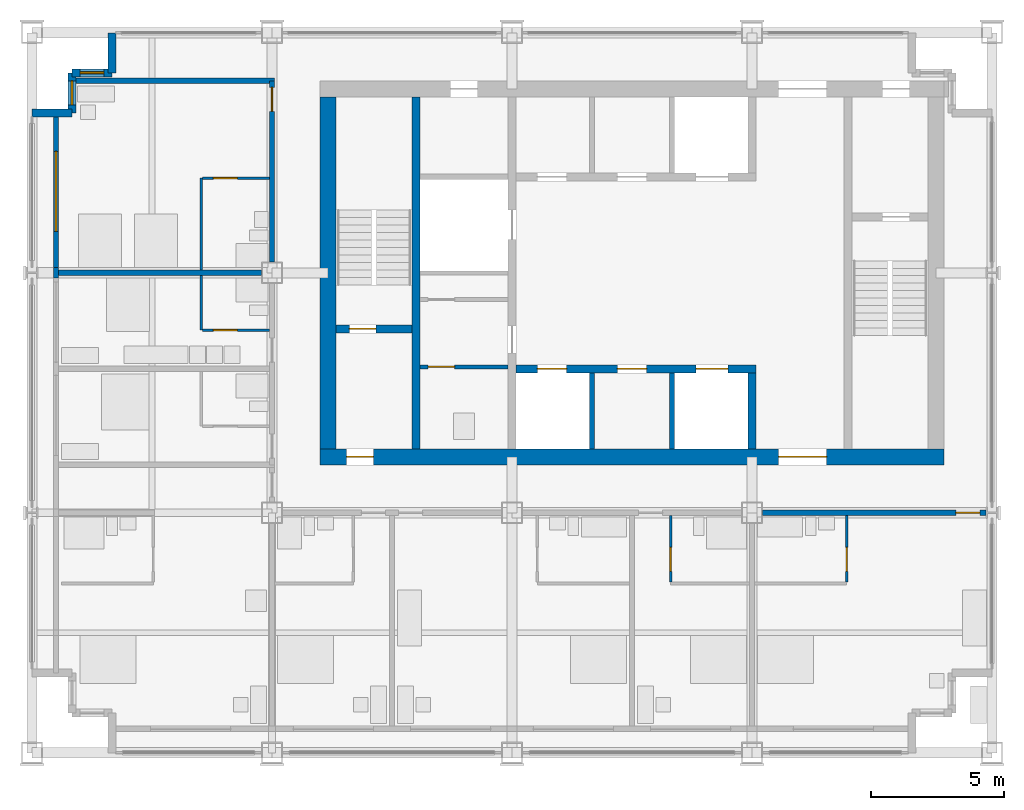
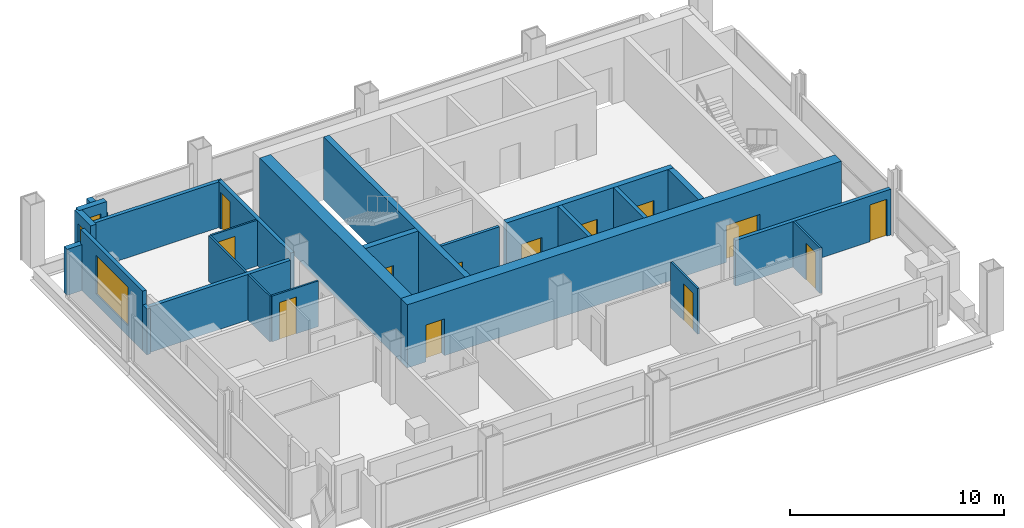
# One storey, part 7 of 12: 25 walls, 13 doors, 3 windows, 16 openings.
"""IFC4 building model written with IfcOpenShell, lengths in metres."""

from ifc_helpers import new_model, si_unit, direction, frame, frame_2d, origin, place, context, subcontext, project, spatial, rectangle, extrude, material, layer, layer_set, type_object, element, fill, save


model = new_model("IFC4")

# Units and contexts
model_context = context("Model", 3, precision=1e-05, world=origin(), true_north=direction((0.0, 1.0)))
body_context = subcontext(model_context, "Body", "Model", "MODEL_VIEW")
ifc_project = project(units=[si_unit("LENGTHUNIT", "METRE"), si_unit("AREAUNIT", "SQUARE_METRE"), si_unit("VOLUMEUNIT", "CUBIC_METRE"), si_unit("PLANEANGLEUNIT", "RADIAN"), si_unit("MASSUNIT", "GRAM", prefix="KILO")], contexts=[model_context])

# Site, building, storey
site_placement = place(None, origin())
site = spatial("IfcSite", under=ifc_project, at=site_placement, CompositionType="ELEMENT")
building_placement = place(site_placement, origin())
building = spatial("IfcBuilding", under=site, at=building_placement, Name="Loomwork Tower", CompositionType="ELEMENT")
storey_placement = place(building_placement, frame((0.0, 0.0, 233.800048828125)))
storey = spatial("IfcBuildingStorey", under=building, at=storey_placement, Name="L64", CompositionType="ELEMENT", Elevation=233.800048828125)

# Wall
ifc_material_1 = material(Name="Concrete 14000 psi (97 MPa)", Category="concrete")
ifc_layer_1 = layer(ifc_material_1, 0.300048828125)
ifc_layer_set_1 = layer_set([ifc_layer_1], Name="Core shear wall 300")
wall_type_1 = type_object("IfcWallType", Name="Core shear wall 300", PredefinedType="SHEAR", material=ifc_layer_set_1)
wall_1_placement = place(storey_placement, frame((14.39990234375, 11.39990234375, 0.0), z_axis=(0.0, 0.0, 1.0), x_axis=(0.0, 1.0, 0.0)))
element("IfcWall", 1, at=wall_1_placement, inside=storey, type_object=wall_type_1, Name="Stair A east wall L64", PredefinedType="SHEAR", context=body_context, shape_type="SweptSolid", body=[
    extrude(rectangle(XDim=13.2001953125, YDim=0.300048828125, at=frame_2d((6.60009765625, 0.0))), origin(), (0.0, 0.0, 1.0), 3.599853515625),
])

# Wall, opening, door
wall_2_placement = place(storey_placement, frame((11.39990234375, 15.89990234375, 0.0), z_axis=(0.0, 0.0, 1.0), x_axis=(1.0, 0.0, 0.0)))
wall_2 = element("IfcWall", 2, at=wall_2_placement, inside=storey, type_object=wall_type_1, Name="Stair A south wall L64", PredefinedType="SHEAR", context=body_context, shape_type="SweptSolid", body=[
    extrude(rectangle(XDim=2.85009765625, YDim=0.300048828125, at=frame_2d((1.425048828125, 0.0))), origin(), (0.0, 0.0, 1.0), 3.599853515625),
])
opening_1_placement = place(wall_2_placement, frame((0.5, 0.0, 0.0)))
opening_1 = element("IfcOpeningElement", 3, at=opening_1_placement, cuts=wall_2, Name="Opening D4", PredefinedType="OPENING", context=body_context, shape_type="SweptSolid", body=[
    extrude(rectangle(XDim=1.0, YDim=2.10009765625, at=frame_2d((0.5, 1.050048828125))), frame((0.0, 0.159912109375, 0.0), z_axis=(0.0, -1.0, 0.0), x_axis=(1.0, 0.0, 0.0)), (0.0, 0.0, 1.0), 0.320068359375),
])
ifc_material_2 = material(Name="Hollow metal door and frame")
door_type_1 = type_object("IfcDoorType", Name="Stair door 1000", OperationType="SINGLE_SWING_RIGHT", PredefinedType="DOOR", material=ifc_material_2)
door_1_placement = place(opening_1_placement, origin())
door_1 = element("IfcDoor", 4, at=door_1_placement, inside=storey, type_object=door_type_1, Name="Stair A door", OperationType="SINGLE_SWING_LEFT", OverallHeight=2.10009765625, OverallWidth=1.0, PredefinedType="DOOR", context=body_context, shape_type="SweptSolid", body=[
    extrude(rectangle(XDim=1.0, YDim=2.10009765625, at=frame_2d((0.5, 1.050048828125))), frame((0.0, 0.02490234375, 0.0), z_axis=(0.0, -1.0, 0.0), x_axis=(1.0, 0.0, 0.0)), (0.0, 0.0, 1.0), 0.050048828125),
])
fill(opening_1, door_1)

# Wall, openings, doors
wall_3_placement = place(storey_placement, frame((18.14990234375, 14.39990234375, 0.0), z_axis=(0.0, 0.0, 1.0), x_axis=(1.0, 0.0, 0.0)))
wall_3 = element("IfcWall", 5, at=wall_3_placement, inside=storey, type_object=wall_type_1, Name="Lift front wall south L64", PredefinedType="SHEAR", context=body_context, shape_type="SweptSolid", body=[
    extrude(rectangle(XDim=9.0, YDim=0.300048828125, at=frame_2d((4.5, 0.0))), origin(), (0.0, 0.0, 1.0), 3.599853515625),
])
opening_2_placement = place(wall_3_placement, frame((0.800048828125, 0.0, 0.0)))
opening_2 = element("IfcOpeningElement", 6, at=opening_2_placement, cuts=wall_3, Name="Opening LD1", PredefinedType="OPENING", context=body_context, shape_type="SweptSolid", body=[
    extrude(rectangle(XDim=1.10009765625, YDim=2.10009765625, at=frame_2d((0.550048828125, 1.050048828125))), frame((0.0, 0.159912109375, 0.0), z_axis=(0.0, -1.0, 0.0), x_axis=(1.0, 0.0, 0.0)), (0.0, 0.0, 1.0), 0.320068359375),
])
opening_3_placement = place(wall_3_placement, frame((6.75, 0.0, 0.0)))
opening_3 = element("IfcOpeningElement", 7, at=opening_3_placement, cuts=wall_3, Name="Opening LD2", PredefinedType="OPENING", context=body_context, shape_type="SweptSolid", body=[
    extrude(rectangle(XDim=1.199951171875, YDim=2.10009765625, at=frame_2d((0.60009765625, 1.050048828125))), frame((0.0, 0.159912109375, 0.0), z_axis=(0.0, -1.0, 0.0), x_axis=(1.0, 0.0, 0.0)), (0.0, 0.0, 1.0), 0.320068359375),
])
opening_4_placement = place(wall_3_placement, frame((3.800048828125, 0.0, 0.0)))
opening_4 = element("IfcOpeningElement", 8, at=opening_4_placement, cuts=wall_3, Name="Opening D17", PredefinedType="OPENING", context=body_context, shape_type="SweptSolid", body=[
    extrude(rectangle(XDim=1.10009765625, YDim=2.10009765625, at=frame_2d((0.550048828125, 1.050048828125))), frame((0.0, 0.159912109375, 0.0), z_axis=(0.0, -1.0, 0.0), x_axis=(1.0, 0.0, 0.0)), (0.0, 0.0, 1.0), 0.320068359375),
])
ifc_material_3 = material(Name="Hollow metal door and frame")
door_type_2 = type_object("IfcDoorType", Name="Lift landing door 1100", OperationType="SLIDING_TO_LEFT", PredefinedType="DOOR", material=ifc_material_3)
door_2_placement = place(opening_2_placement, origin())
door_2 = element("IfcDoor", 9, at=door_2_placement, inside=storey, type_object=door_type_2, Name="Lift landing door LC1", OperationType="SLIDING_TO_LEFT", OverallHeight=2.10009765625, OverallWidth=1.10009765625, PredefinedType="DOOR", context=body_context, shape_type="SweptSolid", body=[
    extrude(rectangle(XDim=1.10009765625, YDim=2.10009765625, at=frame_2d((0.550048828125, 1.050048828125))), frame((0.0, 0.02490234375, 0.0), z_axis=(0.0, -1.0, 0.0), x_axis=(1.0, 0.0, 0.0)), (0.0, 0.0, 1.0), 0.050048828125),
])
fill(opening_2, door_2)
ifc_material_4 = material(Name="Hollow metal door and frame")
door_type_3 = type_object("IfcDoorType", Name="Lift landing door 1200", OperationType="SLIDING_TO_LEFT", PredefinedType="DOOR", material=ifc_material_4)
door_3_placement = place(opening_3_placement, origin())
door_3 = element("IfcDoor", 10, at=door_3_placement, inside=storey, type_object=door_type_3, Name="Lift landing door LF1", OperationType="SLIDING_TO_LEFT", OverallHeight=2.10009765625, OverallWidth=1.199951171875, PredefinedType="DOOR", context=body_context, shape_type="SweptSolid", body=[
    extrude(rectangle(XDim=1.199951171875, YDim=2.10009765625, at=frame_2d((0.60009765625, 1.050048828125))), frame((0.0, 0.02490234375, 0.0), z_axis=(0.0, -1.0, 0.0), x_axis=(1.0, 0.0, 0.0)), (0.0, 0.0, 1.0), 0.050048828125),
])
fill(opening_3, door_3)
ifc_material_5 = material(Name="Hollow metal door and frame")
door_type_4 = type_object("IfcDoorType", Name="Service room door 1100", OperationType="SINGLE_SWING_LEFT", PredefinedType="DOOR", material=ifc_material_5)
door_4_placement = place(opening_4_placement, frame((1.10009765625, 0.0, 0.0), z_axis=(0.0, 0.0, 1.0), x_axis=(-1.0, 0.0, 0.0)))
door_4 = element("IfcDoor", 11, at=door_4_placement, inside=storey, type_object=door_type_4, Name="Linen and housekeeping store door L64", OperationType="SINGLE_SWING_RIGHT", OverallHeight=2.10009765625, OverallWidth=1.10009765625, PredefinedType="DOOR", context=body_context, shape_type="SweptSolid", body=[
    extrude(rectangle(XDim=1.10009765625, YDim=2.10009765625, at=frame_2d((0.550048828125, 1.050048828125))), frame((0.0, 0.02490234375, 0.0), z_axis=(0.0, -1.0, 0.0), x_axis=(1.0, 0.0, 0.0)), (0.0, 0.0, 1.0), 0.050048828125),
])
fill(opening_4, door_4)

# Wall
wall_4_placement = place(storey_placement, frame((27.0, 11.39990234375, 0.0), z_axis=(0.0, 0.0, 1.0), x_axis=(0.0, 1.0, 0.0)))
element("IfcWall", 12, at=wall_4_placement, inside=storey, type_object=wall_type_1, Name="Lift shaft end wall south L64", PredefinedType="SHEAR", context=body_context, shape_type="SweptSolid", body=[
    extrude(rectangle(XDim=2.85009765625, YDim=0.300048828125, at=frame_2d((1.425048828125, 0.0))), origin(), (0.0, 0.0, 1.0), 3.599853515625),
])

# Wall, openings, doors
ifc_material_6 = material(Name="Concrete 14000 psi (97 MPa)", Category="concrete")
ifc_layer_2 = layer(ifc_material_6, 0.60009765625)
ifc_layer_set_2 = layer_set([ifc_layer_2], Name="Core shear wall 600")
wall_type_2 = type_object("IfcWallType", Name="Core shear wall 600", PredefinedType="SHEAR", material=ifc_layer_set_2)
wall_5_placement = place(storey_placement, frame((10.800048828125, 11.10009765625, 0.0), z_axis=(0.0, 0.0, 1.0), x_axis=(1.0, 0.0, 0.0)))
wall_5 = element("IfcWall", 13, at=wall_5_placement, inside=storey, type_object=wall_type_2, Name="Core wall south L64", PredefinedType="SHEAR", context=body_context, shape_type="SweptSolid", body=[
    extrude(rectangle(XDim=23.39990234375, YDim=0.60009765625, at=frame_2d((11.699951171875, 0.0))), origin(), (0.0, 0.0, 1.0), 3.599853515625),
])
opening_5_placement = place(wall_5_placement, frame((1.0, 0.0, 0.0)))
opening_5 = element("IfcOpeningElement", 14, at=opening_5_placement, cuts=wall_5, Name="Opening D4", PredefinedType="OPENING", context=body_context, shape_type="SweptSolid", body=[
    extrude(rectangle(XDim=1.0, YDim=2.10009765625, at=frame_2d((0.5, 1.050048828125))), frame((0.0, 0.31005859375, 0.0), z_axis=(0.0, -1.0, 0.0), x_axis=(1.0, 0.0, 0.0)), (0.0, 0.0, 1.0), 0.6201171875),
])
opening_6_placement = place(wall_5_placement, frame((17.199951171875, 0.0, 0.0)))
opening_6 = element("IfcOpeningElement", 15, at=opening_6_placement, cuts=wall_5, Name="Opening D6", PredefinedType="OPENING", context=body_context, shape_type="SweptSolid", body=[
    extrude(rectangle(XDim=1.800048828125, YDim=2.10009765625, at=frame_2d((0.89990234375, 1.050048828125))), frame((0.0, 0.31005859375, 0.0), z_axis=(0.0, -1.0, 0.0), x_axis=(1.0, 0.0, 0.0)), (0.0, 0.0, 1.0), 0.6201171875),
])
ifc_material_7 = material(Name="Hollow metal door and frame")
door_type_5 = type_object("IfcDoorType", Name="Lobby passage double door 1800", OperationType="DOUBLE_DOOR_SINGLE_SWING", PredefinedType="DOOR", material=ifc_material_7)
door_5_placement = place(opening_6_placement, origin())
door_5 = element("IfcDoor", 16, at=door_5_placement, inside=storey, type_object=door_type_5, Name="Lobby passage door south", OperationType="DOUBLE_DOOR_SINGLE_SWING", OverallHeight=2.10009765625, OverallWidth=1.800048828125, PredefinedType="DOOR", context=body_context, shape_type="SweptSolid", body=[
    extrude(rectangle(XDim=1.800048828125, YDim=2.10009765625, at=frame_2d((0.89990234375, 1.050048828125))), frame((0.0, 0.02490234375, 0.0), z_axis=(0.0, -1.0, 0.0), x_axis=(1.0, 0.0, 0.0)), (0.0, 0.0, 1.0), 0.050048828125),
])
fill(opening_6, door_5)
door_6_placement = place(opening_5_placement, origin())
door_6 = element("IfcDoor", 17, at=door_6_placement, inside=storey, type_object=door_type_1, Name="Stair A vestibule door", OperationType="SINGLE_SWING_LEFT", OverallHeight=2.10009765625, OverallWidth=1.0, PredefinedType="DOOR", context=body_context, shape_type="SweptSolid", body=[
    extrude(rectangle(XDim=1.0, YDim=2.10009765625, at=frame_2d((0.5, 1.050048828125))), frame((0.0, 0.02490234375, 0.0), z_axis=(0.0, -1.0, 0.0), x_axis=(1.0, 0.0, 0.0)), (0.0, 0.0, 1.0), 0.050048828125),
])
fill(opening_5, door_6)

# Wall
wall_6_placement = place(storey_placement, frame((11.10009765625, 11.39990234375, 0.0), z_axis=(0.0, 0.0, 1.0), x_axis=(0.0, 1.0, 0.0)))
element("IfcWall", 18, at=wall_6_placement, inside=storey, type_object=wall_type_2, Name="Core wall west L64", PredefinedType="SHEAR", context=body_context, shape_type="SweptSolid", body=[
    extrude(rectangle(XDim=13.2001953125, YDim=0.60009765625, at=frame_2d((6.60009765625, 0.0))), origin(), (0.0, 0.0, 1.0), 3.599853515625),
])

# Wall, opening, door
ifc_material_8 = material(Name="Gypsum board on steel studs, one-hour", Category="steel")
ifc_layer_3 = layer(ifc_material_8, 0.199951171875)
ifc_layer_set_3 = layer_set([ifc_layer_3], Name="Corridor wall 200")
wall_type_3 = type_object("IfcWallType", Name="Corridor wall 200", PredefinedType="PARTITIONING", material=ifc_layer_set_3)
wall_7_placement = place(storey_placement, frame((27.39990234375, 9.0, 0.0), z_axis=(0.0, 0.0, 1.0), x_axis=(1.0, 0.0, 0.0)))
wall_7 = element("IfcWall", 19, at=wall_7_placement, inside=storey, type_object=wall_type_3, Name="South corridor wall 4", PredefinedType="PARTITIONING", context=body_context, shape_type="SweptSolid", body=[
    extrude(rectangle(XDim=8.36767578125, YDim=0.199951171875, at=frame_2d((4.183837890625, 0.0))), origin(), (0.0, 0.0, 1.0), 2.60498046875),
])
opening_7_placement = place(wall_7_placement, frame((7.25, 0.0, 0.0)))
opening_7 = element("IfcOpeningElement", 20, at=opening_7_placement, cuts=wall_7, Name="Opening D1", PredefinedType="OPENING", context=body_context, shape_type="SweptSolid", body=[
    extrude(rectangle(XDim=0.89990234375, YDim=2.10009765625, at=frame_2d((0.449951171875, 1.050048828125))), frame((0.0, 0.10986328125, 0.0), z_axis=(0.0, -1.0, 0.0), x_axis=(1.0, 0.0, 0.0)), (0.0, 0.0, 1.0), 0.219970703125),
])
ifc_material_9 = material(Name="Hollow metal door and frame")
door_type_6 = type_object("IfcDoorType", Name="Guest room entry door 900", OperationType="SINGLE_SWING_LEFT", PredefinedType="DOOR", material=ifc_material_9)
door_7_placement = place(opening_7_placement, frame((0.89990234375, 0.0, 0.0), z_axis=(0.0, 0.0, 1.0), x_axis=(-1.0, 0.0, 0.0)))
door_7 = element("IfcDoor", 21, at=door_7_placement, inside=storey, type_object=door_type_6, Name="Guest room entry door L64 5", OperationType="SINGLE_SWING_RIGHT", OverallHeight=2.10009765625, OverallWidth=0.89990234375, PredefinedType="DOOR", context=body_context, shape_type="SweptSolid", body=[
    extrude(rectangle(XDim=0.89990234375, YDim=2.10009765625, at=frame_2d((0.449951171875, 1.050048828125))), frame((0.0, 0.02490234375, 0.0), z_axis=(0.0, -1.0, 0.0), x_axis=(1.0, 0.0, 0.0)), (0.0, 0.0, 1.0), 0.050048828125),
])
fill(opening_7, door_7)

wall_8_placement = place(storey_placement, frame((9.0, 18.39990234375, 0.0), z_axis=(0.0, 0.0, 1.0), x_axis=(0.0, 1.0, 0.0)))
wall_8 = element("IfcWall", 22, at=wall_8_placement, inside=storey, type_object=wall_type_3, Name="West corridor wall 2", PredefinedType="PARTITIONING", context=body_context, shape_type="SweptSolid", body=[
    extrude(rectangle(XDim=6.800048828125, YDim=0.199951171875, at=frame_2d((3.39990234375, 0.0))), origin(), (0.0, 0.0, 1.0), 2.60498046875),
])
opening_8_placement = place(wall_8_placement, frame((5.64990234375, 0.0, 0.0)))
opening_8 = element("IfcOpeningElement", 23, at=opening_8_placement, cuts=wall_8, Name="Opening D1", PredefinedType="OPENING", context=body_context, shape_type="SweptSolid", body=[
    extrude(rectangle(XDim=0.89990234375, YDim=2.10009765625, at=frame_2d((0.449951171875, 1.050048828125))), frame((0.0, 0.10986328125, 0.0), z_axis=(0.0, -1.0, 0.0), x_axis=(1.0, 0.0, 0.0)), (0.0, 0.0, 1.0), 0.219970703125),
])
door_8_placement = place(opening_8_placement, origin())
door_8 = element("IfcDoor", 24, at=door_8_placement, inside=storey, type_object=door_type_6, Name="Guest room entry door L64 8", OperationType="SINGLE_SWING_RIGHT", OverallHeight=2.10009765625, OverallWidth=0.89990234375, PredefinedType="DOOR", context=body_context, shape_type="SweptSolid", body=[
    extrude(rectangle(XDim=0.89990234375, YDim=2.10009765625, at=frame_2d((0.449951171875, 1.050048828125))), frame((0.0, 0.02490234375, 0.0), z_axis=(0.0, -1.0, 0.0), x_axis=(1.0, 0.0, 0.0)), (0.0, 0.0, 1.0), 0.050048828125),
])
fill(opening_8, door_8)

# Wall
wall_9_placement = place(storey_placement, frame((1.64990234375, 25.199951171875, 0.0), z_axis=(0.0, 0.0, 1.0), x_axis=(1.0, 0.0, 0.0)))
element("IfcWall", 25, at=wall_9_placement, inside=storey, type_object=wall_type_3, Name="West band end wall N", PredefinedType="PARTITIONING", context=body_context, shape_type="SweptSolid", body=[
    extrude(rectangle(XDim=7.4501953125, YDim=0.199951171875, at=frame_2d((3.72509765625, 0.0))), origin(), (0.0, 0.0, 1.0), 2.60400390625),
])

# Wall, opening, door
ifc_material_10 = material(Name="Cement board on steel studs", Category="steel")
ifc_layer_4 = layer(ifc_material_10, 0.10009765625)
ifc_layer_set_4 = layer_set([ifc_layer_4], Name="En-suite partition 100")
wall_type_4 = type_object("IfcWallType", Name="En-suite partition 100", PredefinedType="PARTITIONING", material=ifc_layer_set_4)
wall_10_placement = place(storey_placement, frame((23.949951171875, 8.89990234375, 0.0), z_axis=(0.0, 0.0, 1.0), x_axis=(0.0, -1.0, 0.0)))
wall_10 = element("IfcWall", 26, at=wall_10_placement, inside=storey, type_object=wall_type_4, Name="En-suite side wall L64 room 4", PredefinedType="PARTITIONING", context=body_context, shape_type="SweptSolid", body=[
    extrude(rectangle(XDim=2.5, YDim=0.10009765625, at=frame_2d((1.25, 0.0))), origin(), (0.0, 0.0, 1.0), 2.60400390625),
])
opening_9_placement = place(wall_10_placement, frame((1.199951171875, 0.0, 0.0)))
opening_9 = element("IfcOpeningElement", 27, at=opening_9_placement, cuts=wall_10, Name="Opening D3", PredefinedType="OPENING", context=body_context, shape_type="SweptSolid", body=[
    extrude(rectangle(XDim=0.89990234375, YDim=2.10009765625, at=frame_2d((0.449951171875, 1.050048828125))), frame((0.0, 0.06005859375, 0.0), z_axis=(0.0, -1.0, 0.0), x_axis=(1.0, 0.0, 0.0)), (0.0, 0.0, 1.0), 0.1201171875),
])
ifc_material_11 = material(Name="Hollow metal door and frame")
door_type_7 = type_object("IfcDoorType", Name="Accessible en-suite door 900", OperationType="SLIDING_TO_LEFT", PredefinedType="DOOR", material=ifc_material_11)
door_9_placement = place(opening_9_placement, origin())
door_9 = element("IfcDoor", 28, at=door_9_placement, inside=storey, type_object=door_type_7, Name="Accessible en-suite door room 4", OperationType="SLIDING_TO_LEFT", OverallHeight=2.10009765625, OverallWidth=0.89990234375, PredefinedType="DOOR", context=body_context, shape_type="SweptSolid", body=[
    extrude(rectangle(XDim=0.89990234375, YDim=2.10009765625, at=frame_2d((0.449951171875, 1.050048828125))), frame((0.0, 0.02490234375, 0.0), z_axis=(0.0, -1.0, 0.0), x_axis=(1.0, 0.0, 0.0)), (0.0, 0.0, 1.0), 0.050048828125),
])
fill(opening_9, door_9)

wall_11_placement = place(storey_placement, frame((30.550048828125, 8.89990234375, 0.0), z_axis=(0.0, 0.0, 1.0), x_axis=(0.0, -1.0, 0.0)))
wall_11 = element("IfcWall", 29, at=wall_11_placement, inside=storey, type_object=wall_type_4, Name="En-suite side wall L64 room 5", PredefinedType="PARTITIONING", context=body_context, shape_type="SweptSolid", body=[
    extrude(rectangle(XDim=2.5, YDim=0.10009765625, at=frame_2d((1.25, 0.0))), origin(), (0.0, 0.0, 1.0), 2.60400390625),
])
opening_10_placement = place(wall_11_placement, frame((1.199951171875, 0.0, 0.0)))
opening_10 = element("IfcOpeningElement", 30, at=opening_10_placement, cuts=wall_11, Name="Opening D2", PredefinedType="OPENING", context=body_context, shape_type="SweptSolid", body=[
    extrude(rectangle(XDim=0.89990234375, YDim=2.10009765625, at=frame_2d((0.449951171875, 1.050048828125))), frame((0.0, 0.06005859375, 0.0), z_axis=(0.0, -1.0, 0.0), x_axis=(1.0, 0.0, 0.0)), (0.0, 0.0, 1.0), 0.1201171875),
])
ifc_material_12 = material(Name="Hollow metal door and frame")
door_type_8 = type_object("IfcDoorType", Name="En-suite door 900", OperationType="SINGLE_SWING_LEFT", PredefinedType="DOOR", material=ifc_material_12)
door_10_placement = place(opening_10_placement, frame((0.89990234375, 0.0, 0.0), z_axis=(0.0, 0.0, 1.0), x_axis=(-1.0, 0.0, 0.0)))
door_10 = element("IfcDoor", 31, at=door_10_placement, inside=storey, type_object=door_type_8, Name="En-suite door room 5", OperationType="SINGLE_SWING_LEFT", OverallHeight=2.10009765625, OverallWidth=0.89990234375, PredefinedType="DOOR", context=body_context, shape_type="SweptSolid", body=[
    extrude(rectangle(XDim=0.89990234375, YDim=2.10009765625, at=frame_2d((0.449951171875, 1.050048828125))), frame((0.0, 0.02490234375, 0.0), z_axis=(0.0, -1.0, 0.0), x_axis=(1.0, 0.0, 0.0)), (0.0, 0.0, 1.0), 0.050048828125),
])
fill(opening_10, door_10)

# Wall
wall_12_placement = place(storey_placement, frame((6.35009765625, 15.85009765625, 0.0), z_axis=(0.0, 0.0, 1.0), x_axis=(0.0, 1.0, 0.0)))
element("IfcWall", 32, at=wall_12_placement, inside=storey, type_object=wall_type_4, Name="En-suite wall L64 room 7", PredefinedType="PARTITIONING", context=body_context, shape_type="SweptSolid", body=[
    extrude(rectangle(XDim=2.0498046875, YDim=0.10009765625, at=frame_2d((1.02490234375, 0.0))), origin(), (0.0, 0.0, 1.0), 2.60400390625),
])

# Wall, opening, door
wall_13_placement = place(storey_placement, frame((8.89990234375, 15.85009765625, 0.0), z_axis=(0.0, 0.0, 1.0), x_axis=(-1.0, 0.0, 0.0)))
wall_13 = element("IfcWall", 33, at=wall_13_placement, inside=storey, type_object=wall_type_4, Name="En-suite side wall L64 room 7", PredefinedType="PARTITIONING", context=body_context, shape_type="SweptSolid", body=[
    extrude(rectangle(XDim=2.5, YDim=0.10009765625, at=frame_2d((1.25, 0.0))), origin(), (0.0, 0.0, 1.0), 2.60400390625),
])
opening_11_placement = place(wall_13_placement, frame((1.199951171875, 0.0, 0.0)))
opening_11 = element("IfcOpeningElement", 34, at=opening_11_placement, cuts=wall_13, Name="Opening D2", PredefinedType="OPENING", context=body_context, shape_type="SweptSolid", body=[
    extrude(rectangle(XDim=0.89990234375, YDim=2.10009765625, at=frame_2d((0.449951171875, 1.050048828125))), frame((0.0, 0.06005859375, 0.0), z_axis=(0.0, -1.0, 0.0), x_axis=(1.0, 0.0, 0.0)), (0.0, 0.0, 1.0), 0.1201171875),
])
door_11_placement = place(opening_11_placement, frame((0.89990234375, 0.0, 0.0), z_axis=(0.0, 0.0, 1.0), x_axis=(-1.0, 0.0, 0.0)))
door_11 = element("IfcDoor", 35, at=door_11_placement, inside=storey, type_object=door_type_8, Name="En-suite door room 7", OperationType="SINGLE_SWING_LEFT", OverallHeight=2.10009765625, OverallWidth=0.89990234375, PredefinedType="DOOR", context=body_context, shape_type="SweptSolid", body=[
    extrude(rectangle(XDim=0.89990234375, YDim=2.10009765625, at=frame_2d((0.449951171875, 1.050048828125))), frame((0.0, 0.02490234375, 0.0), z_axis=(0.0, -1.0, 0.0), x_axis=(1.0, 0.0, 0.0)), (0.0, 0.0, 1.0), 0.050048828125),
])
fill(opening_11, door_11)

# Wall
wall_14_placement = place(storey_placement, frame((6.35009765625, 18.10009765625, 0.0), z_axis=(0.0, 0.0, 1.0), x_axis=(0.0, 1.0, 0.0)))
element("IfcWall", 36, at=wall_14_placement, inside=storey, type_object=wall_type_4, Name="En-suite wall L64 room 8", PredefinedType="PARTITIONING", context=body_context, shape_type="SweptSolid", body=[
    extrude(rectangle(XDim=3.449951171875, YDim=0.10009765625, at=frame_2d((1.72509765625, 0.0))), origin(), (0.0, 0.0, 1.0), 2.60400390625),
])

# Wall, opening, door
wall_15_placement = place(storey_placement, frame((8.89990234375, 21.550048828125, 0.0), z_axis=(0.0, 0.0, 1.0), x_axis=(-1.0, 0.0, 0.0)))
wall_15 = element("IfcWall", 37, at=wall_15_placement, inside=storey, type_object=wall_type_4, Name="En-suite side wall L64 room 8", PredefinedType="PARTITIONING", context=body_context, shape_type="SweptSolid", body=[
    extrude(rectangle(XDim=2.5, YDim=0.10009765625, at=frame_2d((1.25, 0.0))), origin(), (0.0, 0.0, 1.0), 2.60400390625),
])
opening_12_placement = place(wall_15_placement, frame((1.199951171875, 0.0, 0.0)))
opening_12 = element("IfcOpeningElement", 38, at=opening_12_placement, cuts=wall_15, Name="Opening D2", PredefinedType="OPENING", context=body_context, shape_type="SweptSolid", body=[
    extrude(rectangle(XDim=0.89990234375, YDim=2.10009765625, at=frame_2d((0.449951171875, 1.050048828125))), frame((0.0, 0.06005859375, 0.0), z_axis=(0.0, -1.0, 0.0), x_axis=(1.0, 0.0, 0.0)), (0.0, 0.0, 1.0), 0.1201171875),
])
door_12_placement = place(opening_12_placement, origin())
door_12 = element("IfcDoor", 39, at=door_12_placement, inside=storey, type_object=door_type_8, Name="En-suite door room 8", OperationType="SINGLE_SWING_RIGHT", OverallHeight=2.10009765625, OverallWidth=0.89990234375, PredefinedType="DOOR", context=body_context, shape_type="SweptSolid", body=[
    extrude(rectangle(XDim=0.89990234375, YDim=2.10009765625, at=frame_2d((0.449951171875, 1.050048828125))), frame((0.0, 0.02490234375, 0.0), z_axis=(0.0, -1.0, 0.0), x_axis=(1.0, 0.0, 0.0)), (0.0, 0.0, 1.0), 0.050048828125),
])
fill(opening_12, door_12)

# Walls
ifc_material_13 = material(Name="Gypsum board on steel studs, acoustic", Category="steel")
ifc_layer_5 = layer(ifc_material_13, 0.199951171875)
ifc_layer_set_5 = layer_set([ifc_layer_5], Name="Guest room party wall 200")
wall_type_5 = type_object("IfcWallType", Name="Guest room party wall 200", PredefinedType="PARTITIONING", material=ifc_layer_set_5)
wall_16_placement = place(storey_placement, frame((8.60009765625, 18.0, 0.0), z_axis=(0.0, 0.0, 1.0), x_axis=(-1.0, 0.0, 0.0)))
element("IfcWall", 40, at=wall_16_placement, inside=storey, type_object=wall_type_5, Name="Guest room party wall W 18", PredefinedType="PARTITIONING", context=body_context, shape_type="SweptSolid", body=[
    extrude(rectangle(XDim=7.60009765625, YDim=0.199951171875, at=frame_2d((3.800048828125, 0.0))), origin(), (0.0, 0.0, 1.0), 2.60498046875),
])
ifc_material_14 = material(Name="Insulated steel stud wall with gypsum lining", Category="steel")
ifc_layer_6 = layer(ifc_material_14, 0.199951171875)
ifc_layer_set_6 = layer_set([ifc_layer_6], Name="Inner skin wall 200")
wall_type_6 = type_object("IfcWallType", Name="Inner skin wall 200", PredefinedType="SOLIDWALL", material=ifc_layer_set_6)
wall_17_placement = place(storey_placement, frame((0.89990234375, 17.80615234375, 0.0), z_axis=(0.0, 0.0, 1.0), x_axis=(0.0, 1.0, 0.0)))
element("IfcWall", 41, at=wall_17_placement, inside=storey, type_object=wall_type_6, Name="Inner skin wall W bay 6", PredefinedType="SOLIDWALL", context=body_context, shape_type="SweptSolid", body=[
    extrude(rectangle(XDim=0.3876953125, YDim=0.199951171875, at=frame_2d((0.19384765625, 0.0))), origin(), (0.0, 0.0, 1.0), 2.60400390625),
])

# Wall, opening, window
wall_18_placement = place(storey_placement, frame((0.89990234375, 18.19384765625, 0.0), z_axis=(0.0, 0.0, 1.0), x_axis=(0.0, 1.0, 0.0)))
wall_18 = element("IfcWall", 42, at=wall_18_placement, inside=storey, type_object=wall_type_6, Name="Inner skin wall W bay 7", PredefinedType="SOLIDWALL", context=body_context, shape_type="SweptSolid", body=[
    extrude(rectangle(XDim=5.80615234375, YDim=0.199951171875, at=frame_2d((2.903076171875, 0.0))), origin(), (0.0, 0.0, 1.0), 3.39990234375),
])
opening_13_placement = place(wall_18_placement, frame((1.356201171875, 0.0, 0.60009765625)))
opening_13 = element("IfcOpeningElement", 43, at=opening_13_placement, cuts=wall_18, Name="Opening CH1", PredefinedType="OPENING", context=body_context, shape_type="SweptSolid", body=[
    extrude(rectangle(XDim=3.0, YDim=2.199951171875, at=frame_2d((1.5, 1.10009765625))), frame((0.0, 0.10986328125, 0.0), z_axis=(0.0, -1.0, 0.0), x_axis=(1.0, 0.0, 0.0)), (0.0, 0.0, 1.0), 0.219970703125),
])
ifc_material_15 = material(Name="Aluminium frame with clear insulated glass", Category="aluminium")
window_type_1 = type_object("IfcWindowType", Name="Chicago window 3000", PartitioningType="TRIPLE_PANEL_VERTICAL", PredefinedType="WINDOW", material=ifc_material_15)
window_1_placement = place(opening_13_placement, origin())
window_1 = element("IfcWindow", 44, at=window_1_placement, inside=storey, type_object=window_type_1, Name="Chicago window L64 bay 6", OverallHeight=2.199951171875, OverallWidth=3.0, PartitioningType="TRIPLE_PANEL_VERTICAL", PredefinedType="WINDOW", context=body_context, shape_type="SweptSolid", body=[
    extrude(rectangle(XDim=3.0, YDim=2.199951171875, at=frame_2d((1.5, 1.10009765625))), frame((0.0, 0.030029296875, 0.0), z_axis=(0.0, -1.0, 0.0), x_axis=(1.0, 0.0, 0.0)), (0.0, 0.0, 1.0), 0.06005859375),
])
fill(opening_13, window_1)

# Walls
ifc_material_16 = material(Name="Concrete 14000 psi (97 MPa)", Category="concrete")
ifc_layer_7 = layer(ifc_material_16, 0.199951171875)
ifc_layer_set_7 = layer_set([ifc_layer_7], Name="Lift shaft wall 200")
wall_type_7 = type_object("IfcWallType", Name="Lift shaft wall 200", PredefinedType="SHEAR", material=ifc_layer_set_7)
for number, where, z_axis, x_axis, name in (
    (45, (21.0, 11.39990234375, 0.0), (0.0, 0.0, 1.0), (0.0, 1.0, 0.0), "Lift shaft separation wall south 1 L64"),
    (46, (24.0, 11.39990234375, 0.0), (0.0, 0.0, 1.0), (0.0, 1.0, 0.0), "Lift shaft separation wall south 2 L64"),
):
    element("IfcWall", number, at=place(storey_placement, frame(where, z_axis=z_axis, x_axis=x_axis)), inside=storey, type_object=wall_type_7, Name=name, PredefinedType="SHEAR", context=body_context, shape_type="SweptSolid", body=[
        extrude(rectangle(XDim=2.85009765625, YDim=0.199951171875, at=frame_2d((1.425048828125, 0.0))), origin(), (0.0, 0.0, 1.0), 3.599853515625),
    ])
ifc_material_17 = material(Name="Limestone on concrete masonry", Category="masonry")
ifc_layer_8 = layer(ifc_material_17, 0.300048828125)
ifc_layer_set_8 = layer_set([ifc_layer_8], Name="Limestone corner wall 300")
wall_type_8 = type_object("IfcWallType", Name="Limestone corner wall 300", PredefinedType="SOLIDWALL", material=ifc_layer_set_8)
wall_19_placement = place(storey_placement, frame((3.0, 27.0, 0.0), z_axis=(0.0, 0.0, 1.0), x_axis=(0.0, -1.0, 0.0)))
element("IfcWall", 47, at=wall_19_placement, inside=storey, type_object=wall_type_8, Name="Stone corner wall NW 1", PredefinedType="SOLIDWALL", context=body_context, shape_type="SweptSolid", body=[
    extrude(rectangle(XDim=1.5, YDim=0.300048828125, at=frame_2d((0.75, 0.0))), origin(), (0.0, 0.0, 1.0), 2.619873046875),
])

# Wall, opening, window
wall_20_placement = place(storey_placement, frame((3.0, 25.5, 0.0), z_axis=(0.0, 0.0, 1.0), x_axis=(-1.0, 0.0, 0.0)))
wall_20 = element("IfcWall", 48, at=wall_20_placement, inside=storey, type_object=wall_type_8, Name="Stone corner wall NW 2", PredefinedType="SOLIDWALL", context=body_context, shape_type="SweptSolid", body=[
    extrude(rectangle(XDim=1.5, YDim=0.300048828125, at=frame_2d((0.75, 0.0))), origin(), (0.0, 0.0, 1.0), 3.39990234375),
])
opening_14_placement = place(wall_20_placement, frame((0.300048828125, 0.0, 0.60009765625)))
opening_14 = element("IfcOpeningElement", 49, at=opening_14_placement, cuts=wall_20, Name="Opening CH2", PredefinedType="OPENING", context=body_context, shape_type="SweptSolid", body=[
    extrude(rectangle(XDim=0.89990234375, YDim=2.199951171875, at=frame_2d((0.449951171875, 1.10009765625))), frame((0.0, 0.159912109375, 0.0), z_axis=(0.0, -1.0, 0.0), x_axis=(1.0, 0.0, 0.0)), (0.0, 0.0, 1.0), 0.320068359375),
])
ifc_material_18 = material(Name="Aluminium frame with clear insulated glass", Category="aluminium")
window_type_2 = type_object("IfcWindowType", Name="Corner window 900", PartitioningType="SINGLE_PANEL", PredefinedType="WINDOW", material=ifc_material_18)
window_2_placement = place(opening_14_placement, origin())
window_2 = element("IfcWindow", 50, at=window_2_placement, inside=storey, type_object=window_type_2, Name="Corner window NW", OverallHeight=2.199951171875, OverallWidth=0.89990234375, PartitioningType="SINGLE_PANEL", PredefinedType="WINDOW", context=body_context, shape_type="SweptSolid", body=[
    extrude(rectangle(XDim=0.89990234375, YDim=2.199951171875, at=frame_2d((0.449951171875, 1.10009765625))), frame((0.0, 0.030029296875, 0.0), z_axis=(0.0, -1.0, 0.0), x_axis=(1.0, 0.0, 0.0)), (0.0, 0.0, 1.0), 0.06005859375),
])
fill(opening_14, window_2)

wall_21_placement = place(storey_placement, frame((1.5, 25.5, 0.0), z_axis=(0.0, 0.0, 1.0), x_axis=(0.0, -1.0, 0.0)))
wall_21 = element("IfcWall", 51, at=wall_21_placement, inside=storey, type_object=wall_type_8, Name="Stone corner wall NW 3", PredefinedType="SOLIDWALL", context=body_context, shape_type="SweptSolid", body=[
    extrude(rectangle(XDim=1.5, YDim=0.300048828125, at=frame_2d((0.75, 0.0))), origin(), (0.0, 0.0, 1.0), 3.39990234375),
])
opening_15_placement = place(wall_21_placement, frame((0.300048828125, 0.0, 0.60009765625)))
opening_15 = element("IfcOpeningElement", 52, at=opening_15_placement, cuts=wall_21, Name="Opening CH2", PredefinedType="OPENING", context=body_context, shape_type="SweptSolid", body=[
    extrude(rectangle(XDim=0.89990234375, YDim=2.199951171875, at=frame_2d((0.449951171875, 1.10009765625))), frame((0.0, 0.159912109375, 0.0), z_axis=(0.0, -1.0, 0.0), x_axis=(1.0, 0.0, 0.0)), (0.0, 0.0, 1.0), 0.320068359375),
])
window_3_placement = place(opening_15_placement, origin())
window_3 = element("IfcWindow", 53, at=window_3_placement, inside=storey, type_object=window_type_2, Name="Corner window NW", OverallHeight=2.199951171875, OverallWidth=0.89990234375, PartitioningType="SINGLE_PANEL", PredefinedType="WINDOW", context=body_context, shape_type="SweptSolid", body=[
    extrude(rectangle(XDim=0.89990234375, YDim=2.199951171875, at=frame_2d((0.449951171875, 1.10009765625))), frame((0.0, 0.030029296875, 0.0), z_axis=(0.0, -1.0, 0.0), x_axis=(1.0, 0.0, 0.0)), (0.0, 0.0, 1.0), 0.06005859375),
])
fill(opening_15, window_3)

# Wall
wall_22_placement = place(storey_placement, frame((1.5, 24.0, 0.0), z_axis=(0.0, 0.0, 1.0), x_axis=(-1.0, 0.0, 0.0)))
element("IfcWall", 54, at=wall_22_placement, inside=storey, type_object=wall_type_8, Name="Stone corner wall NW 4", PredefinedType="SOLIDWALL", context=body_context, shape_type="SweptSolid", body=[
    extrude(rectangle(XDim=1.5, YDim=0.300048828125, at=frame_2d((0.75, 0.0))), origin(), (0.0, 0.0, 1.0), 2.619873046875),
])

# Wall, opening, door
ifc_material_19 = material(Name="Gypsum board on steel studs, one-hour", Category="steel")
ifc_layer_9 = layer(ifc_material_19, 0.14990234375)
ifc_layer_set_9 = layer_set([ifc_layer_9], Name="Service partition 150")
wall_type_9 = type_object("IfcWallType", Name="Service partition 150", PredefinedType="PARTITIONING", material=ifc_layer_set_9)
wall_23_placement = place(storey_placement, frame((14.550048828125, 14.47509765625, 0.0), z_axis=(0.0, 0.0, 1.0), x_axis=(1.0, 0.0, 0.0)))
wall_23 = element("IfcWall", 55, at=wall_23_placement, inside=storey, type_object=wall_type_9, Name="Back-of-house partition L64", PredefinedType="PARTITIONING", context=body_context, shape_type="SweptSolid", body=[
    extrude(rectangle(XDim=3.300048828125, YDim=0.14990234375, at=frame_2d((1.64990234375, 0.0))), origin(), (0.0, 0.0, 1.0), 3.39990234375),
])
opening_16_placement = place(wall_23_placement, frame((0.300048828125, 0.0, 0.0)))
opening_16 = element("IfcOpeningElement", 56, at=opening_16_placement, cuts=wall_23, Name="Opening D5", PredefinedType="OPENING", context=body_context, shape_type="SweptSolid", body=[
    extrude(rectangle(XDim=1.0, YDim=2.10009765625, at=frame_2d((0.5, 1.050048828125))), frame((0.0, 0.0849609375, 0.0), z_axis=(0.0, -1.0, 0.0), x_axis=(1.0, 0.0, 0.0)), (0.0, 0.0, 1.0), 0.169921875),
])
ifc_material_20 = material(Name="Hollow metal door and frame")
door_type_9 = type_object("IfcDoorType", Name="Service door 1000", OperationType="SINGLE_SWING_LEFT", PredefinedType="DOOR", material=ifc_material_20)
door_13_placement = place(opening_16_placement, origin())
door_13 = element("IfcDoor", 57, at=door_13_placement, inside=storey, type_object=door_type_9, Name="Back-of-house room door", OperationType="SINGLE_SWING_LEFT", OverallHeight=2.10009765625, OverallWidth=1.0, PredefinedType="DOOR", context=body_context, shape_type="SweptSolid", body=[
    extrude(rectangle(XDim=1.0, YDim=2.10009765625, at=frame_2d((0.5, 1.050048828125))), frame((0.0, 0.02490234375, 0.0), z_axis=(0.0, -1.0, 0.0), x_axis=(1.0, 0.0, 0.0)), (0.0, 0.0, 1.0), 0.050048828125),
])
fill(opening_16, door_13)

save(model, "model.ifc")
